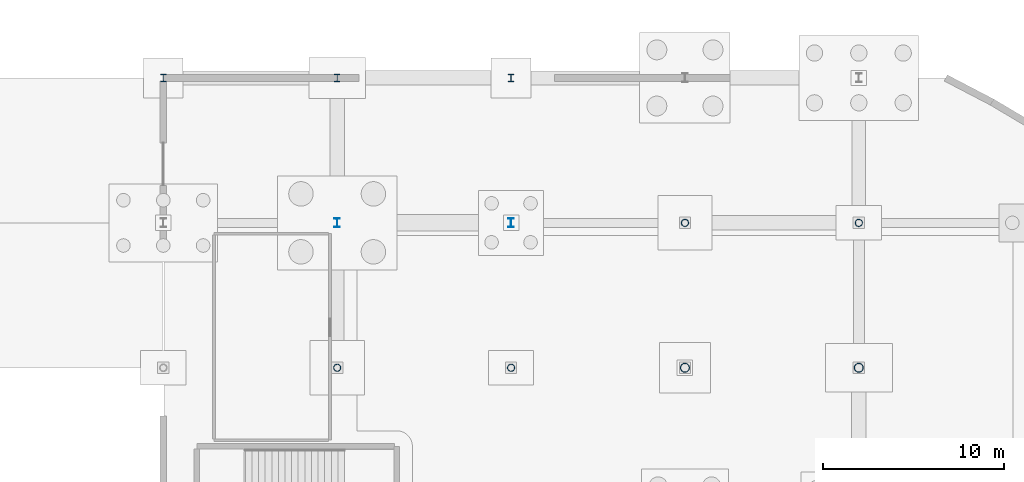
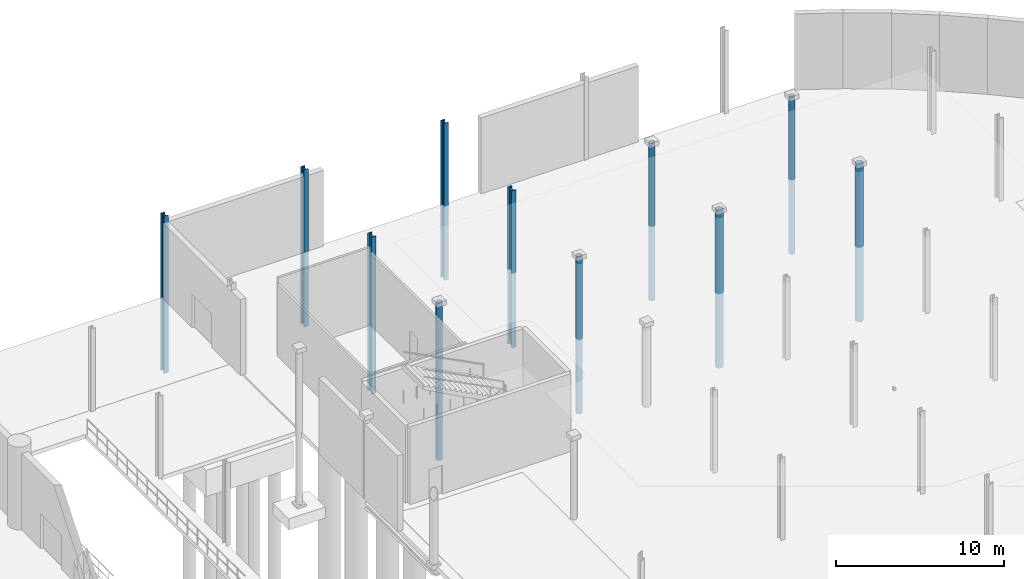
# One storey, part 31 of 124: 11 columns.
"""IFC4 building model written with IfcOpenShell, lengths in metres."""

from ifc_helpers import new_model, si_unit, direction, frame, origin, origin_2d, place, context, subcontext, project, spatial, hollow_circle, i_section, extrude, material, material_profile, profile_set, type_object, element, save


model = new_model("IFC4")

# Units and contexts
model_context = context("Model", 3, precision=1e-05, world=origin(), true_north=direction((0.0, 1.0)))
body_context = subcontext(model_context, "Body", "Model", "MODEL_VIEW")
ifc_project = project(units=[si_unit("LENGTHUNIT", "METRE"), si_unit("AREAUNIT", "SQUARE_METRE"), si_unit("VOLUMEUNIT", "CUBIC_METRE"), si_unit("PLANEANGLEUNIT", "RADIAN"), si_unit("MASSUNIT", "GRAM", prefix="KILO")], contexts=[model_context])

# Site, building, storey
site_placement = place(None, origin())
site = spatial("IfcSite", under=ifc_project, at=site_placement, CompositionType="ELEMENT")
building_placement = place(site_placement, origin())
building = spatial("IfcBuilding", under=site, at=building_placement, Name="Danafjord Basin Convention Centre", CompositionType="ELEMENT")
storey_placement = place(building_placement, origin())
storey = spatial("IfcBuildingStorey", under=building, at=storey_placement, Name="L00", CompositionType="ELEMENT", Elevation=0.0)

# Columns
ifc_material = material(Name="Steel S355", Category="steel")
ifc_material_profile_1 = material_profile(ifc_material, hollow_circle(Radius=0.203125, WallThickness=0.02001953125, at=origin_2d()), Name="CHS 406.4x20.0")
ifc_profile_set_1 = profile_set([ifc_material_profile_1], Name="Steel S355")
column_type_1 = type_object("IfcColumnType", Name="COL-C-CHS406", PredefinedType="COLUMN", material=ifc_profile_set_1)
for number, where, z_axis, x_axis, name in (
    (1, (144.0, 128.0, -5.39990234375), (0.0, 0.0, 1.0), (1.0, 0.0, 0.0), "L00 column C-CHS406 at (144.0, 128.0)"),
    (2, (153.60009765625, 128.0, -5.39990234375), (0.0, 0.0, 1.0), (1.0, 0.0, 0.0), "L00 column C-CHS406 at (153.6, 128.0)"),
    (3, (163.199951171875, 136.0, -5.39990234375), (0.0, 0.0, 1.0), (1.0, 0.0, 0.0), "L00 column C-CHS406 at (163.2, 136.0)"),
    (4, (172.800048828125, 136.0, -5.39990234375), (0.0, 0.0, 1.0), (1.0, 0.0, 0.0), "L00 column C-CHS406 at (172.8, 136.0)"),
):
    element("IfcColumn", number, at=place(storey_placement, frame(where, z_axis=z_axis, x_axis=x_axis)), inside=storey, type_object=column_type_1, Name=name, PredefinedType="COLUMN", context=body_context, shape_type="SweptSolid", body=[
        extrude(hollow_circle(Radius=0.203125, WallThickness=0.02001953125, at=origin_2d()), origin(), (0.0, 0.0, 1.0), 11.39990234375),
    ])
ifc_material_profile_2 = material_profile(ifc_material, hollow_circle(Radius=0.25390625, WallThickness=0.02490234375, at=origin_2d()), Name="CHS 508.0x25.0")
ifc_profile_set_2 = profile_set([ifc_material_profile_2], Name="Steel S355")
column_type_2 = type_object("IfcColumnType", Name="COL-C-CHS508", PredefinedType="COLUMN", material=ifc_profile_set_2)
for number, where, z_axis, x_axis, name in (
    (5, (163.199951171875, 128.0, -5.39990234375), (0.0, 0.0, 1.0), (1.0, 0.0, 0.0), "L00 column C-CHS508 at (163.2, 128.0)"),
    (6, (172.800048828125, 128.0, -5.39990234375), (0.0, 0.0, 1.0), (1.0, 0.0, 0.0), "L00 column C-CHS508 at (172.8, 128.0)"),
):
    element("IfcColumn", number, at=place(storey_placement, frame(where, z_axis=z_axis, x_axis=x_axis)), inside=storey, type_object=column_type_2, Name=name, PredefinedType="COLUMN", context=body_context, shape_type="SweptSolid", body=[
        extrude(hollow_circle(Radius=0.25390625, WallThickness=0.02490234375, at=origin_2d()), origin(), (0.0, 0.0, 1.0), 11.39990234375),
    ])
ifc_material_profile_3 = material_profile(ifc_material, i_section(OverallWidth=0.300048828125, OverallDepth=0.39990234375, WebThickness=0.013427734375, FlangeThickness=0.02392578125, FilletRadius=0.027099609375, at=origin_2d()), Name="HEB 400")
ifc_profile_set_3 = profile_set([ifc_material_profile_3], Name="Steel S355")
column_type_3 = type_object("IfcColumnType", Name="COL-C-HEB400", PredefinedType="COLUMN", material=ifc_profile_set_3)
for number, where, z_axis, x_axis, name in (
    (7, (134.39990234375, 144.0, -5.39990234375), (0.0, 0.0, 1.0), (1.0, 0.0, 0.0), "L00 column C-HEB400 at (134.4, 144.0)"),
    (8, (144.0, 144.0, -5.39990234375), (0.0, 0.0, 1.0), (1.0, 0.0, 0.0), "L00 column C-HEB400 at (144.0, 144.0)"),
    (9, (153.60009765625, 144.0, -5.39990234375), (0.0, 0.0, 1.0), (1.0, 0.0, 0.0), "L00 column C-HEB400 at (153.6, 144.0)"),
):
    element("IfcColumn", number, at=place(storey_placement, frame(where, z_axis=z_axis, x_axis=x_axis)), inside=storey, type_object=column_type_3, Name=name, PredefinedType="COLUMN", context=body_context, shape_type="SweptSolid", body=[
        extrude(i_section(OverallWidth=0.300048828125, OverallDepth=0.39990234375, WebThickness=0.013427734375, FlangeThickness=0.02392578125, FilletRadius=0.027099609375, at=origin_2d()), origin(), (0.0, 0.0, 1.0), 11.39990234375),
    ])
ifc_material_profile_4 = material_profile(ifc_material, i_section(OverallWidth=0.300048828125, OverallDepth=0.5, WebThickness=0.014404296875, FlangeThickness=0.028076171875, FilletRadius=0.027099609375, at=origin_2d()), Name="HEB 500")
ifc_profile_set_4 = profile_set([ifc_material_profile_4], Name="Steel S355")
column_type_4 = type_object("IfcColumnType", Name="COL-C-HEB500", PredefinedType="COLUMN", material=ifc_profile_set_4)
for number, where, z_axis, x_axis, name in (
    (10, (144.0, 136.0, -5.39990234375), (0.0, 0.0, 1.0), (1.0, 0.0, 0.0), "L00 column C-HEB500 at (144.0, 136.0)"),
    (11, (153.60009765625, 136.0, -5.39990234375), (0.0, 0.0, 1.0), (1.0, 0.0, 0.0), "L00 column C-HEB500 at (153.6, 136.0)"),
):
    element("IfcColumn", number, at=place(storey_placement, frame(where, z_axis=z_axis, x_axis=x_axis)), inside=storey, type_object=column_type_4, Name=name, PredefinedType="COLUMN", context=body_context, shape_type="SweptSolid", body=[
        extrude(i_section(OverallWidth=0.300048828125, OverallDepth=0.5, WebThickness=0.014404296875, FlangeThickness=0.028076171875, FilletRadius=0.027099609375, at=origin_2d()), origin(), (0.0, 0.0, 1.0), 11.39990234375),
    ])

save(model, "model.ifc")
